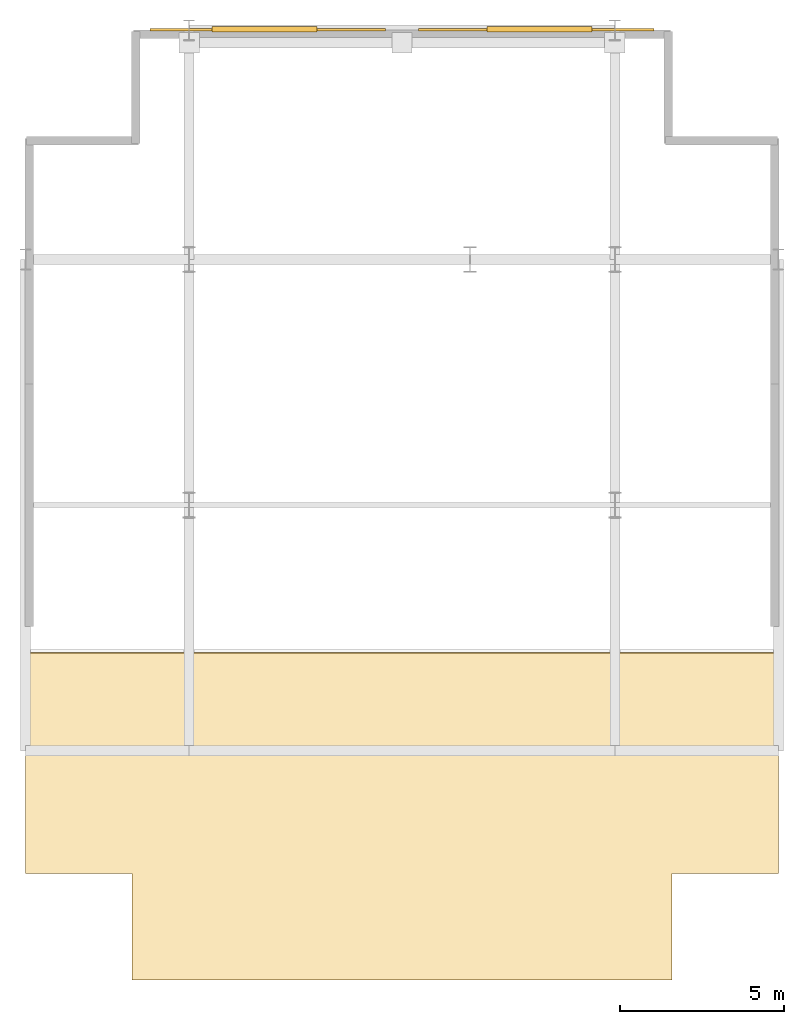
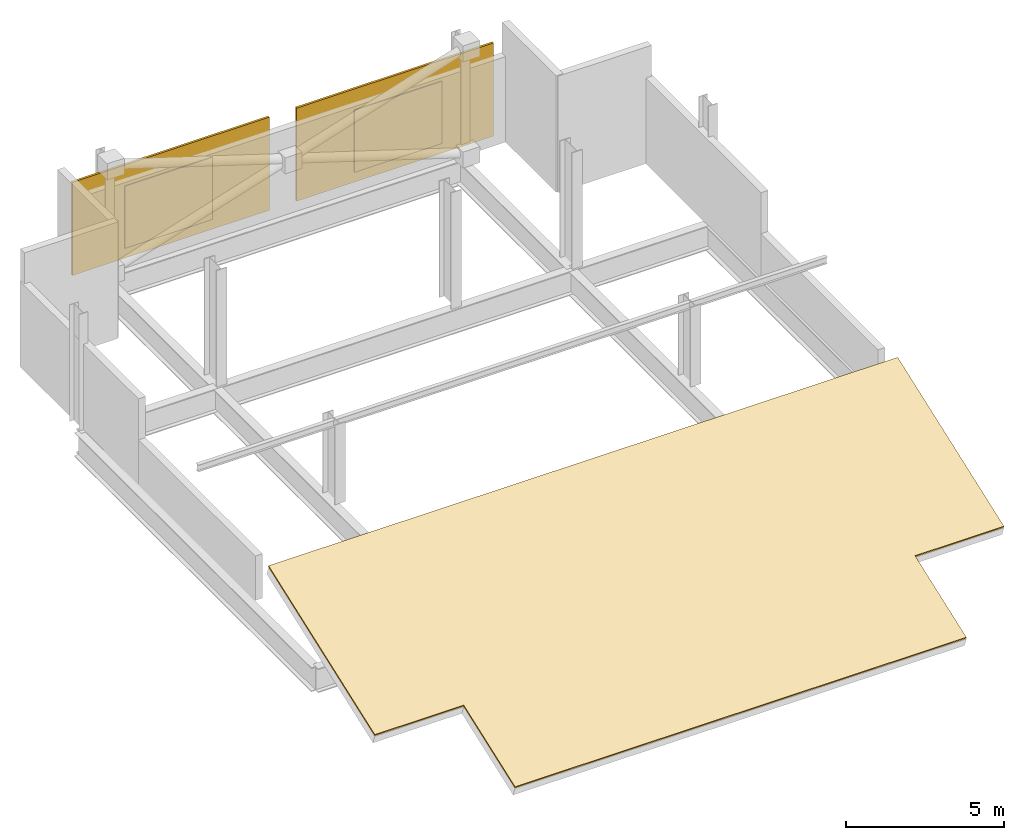
# One storey, part 2 of 2: 3 coverings, 2 shading devices.
"""IFC4 building model written with IfcOpenShell, lengths in metres."""

from ifc_helpers import new_model, si_unit, direction, frame, origin, origin_2d, place, context, subcontext, project, spatial, polyline, rectangle, outline, extrude, material, layer, layer_set, type_object, element, save


model = new_model("IFC4")

# Units and contexts
model_context = context("Model", 3, precision=1e-05, world=origin(), true_north=direction((0.0, 1.0)))
body_context = subcontext(model_context, "Body", "Model", "MODEL_VIEW")
ifc_project = project(units=[si_unit("LENGTHUNIT", "METRE"), si_unit("AREAUNIT", "SQUARE_METRE"), si_unit("VOLUMEUNIT", "CUBIC_METRE"), si_unit("PLANEANGLEUNIT", "RADIAN"), si_unit("MASSUNIT", "GRAM", prefix="KILO")], contexts=[model_context])

# Site, building, storey
site_placement = place(None, origin())
site = spatial("IfcSite", under=ifc_project, at=site_placement, CompositionType="ELEMENT")
building_placement = place(site_placement, origin())
building = spatial("IfcBuilding", under=site, at=building_placement, Name="Barlavira Tower and Art Museum", CompositionType="ELEMENT")
storey_placement = place(building_placement, frame((0.0, 0.0, 323.39990234375)))
storey = spatial("IfcBuildingStorey", under=building, at=storey_placement, Name="L84", CompositionType="ELEMENT", Elevation=323.39990234375)

# Shading devices
ifc_material = material(Name="Pale anodised aluminium", Category="aluminium")
shading_device_type = type_object("IfcShadingDeviceType", Name="Crown Acoustic Weatherproof Plant Louvre Panel", PredefinedType="USERDEFINED", material=ifc_material)
for number, where, z_axis, x_axis, name in (
    (1, (-4.199951171875, 14.530029296875, 0.60009765625), (0.0, 0.0, 1.0), (1.0, 0.0, 0.0), "L84 Chisel Crown Acoustic Louvre 1"),
    (2, (4.199951171875, 14.530029296875, 0.60009765625), (0.0, 0.0, 1.0), (1.0, 0.0, 0.0), "L84 Chisel Crown Acoustic Louvre 2"),
):
    element("IfcShadingDevice", number, at=place(storey_placement, frame(where, z_axis=z_axis, x_axis=x_axis)), inside=storey, type_object=shading_device_type, Name=name, ObjectType="LOUVER", PredefinedType="USERDEFINED", context=body_context, shape_type="SweptSolid", body=[
        extrude(rectangle(XDim=3.199951171875, YDim=0.159912109375, at=origin_2d()), origin(), (0.0, 0.0, 1.0), 2.39990234375),
    ])

# Coverings
ifc_layer_1 = layer(ifc_material, 0.080078125, Name="Pale anodised aluminium")
ifc_layer_set_1 = layer_set([ifc_layer_1], Name="Pale anodised aluminium")
covering_type_1 = type_object("IfcCoveringType", Name="Crown Chisel Pale-Metal Rainscreen Cladding 80", PredefinedType="CLADDING", material=ifc_layer_set_1)
for number, where, z_axis, x_axis, name in (
    (3, (-4.10009765625, 14.52001953125, 0.199951171875), (0.0, 0.0, 1.0), (1.0, 0.0, 0.0), "L84 North Chisel Rainscreen Cladding 1"),
    (4, (4.10009765625, 14.52001953125, 0.199951171875), (0.0, 0.0, 1.0), (1.0, 0.0, 0.0), "L84 North Chisel Rainscreen Cladding 2"),
):
    element("IfcCovering", number, at=place(storey_placement, frame(where, z_axis=z_axis, x_axis=x_axis)), inside=storey, type_object=covering_type_1, Name=name, PredefinedType="CLADDING", context=body_context, shape_type="SweptSolid", body=[
        extrude(rectangle(XDim=7.199951171875, YDim=0.080078125, at=origin_2d()), origin(), (0.0, 0.0, 1.0), 3.60009765625),
    ])
ifc_layer_2 = layer(ifc_material, 0.06005859375, Name="Pale anodised aluminium")
ifc_layer_set_2 = layer_set([ifc_layer_2], Name="Pale anodised aluminium")
covering_type_2 = type_object("IfcCoveringType", Name="Sloped Roof Standing-Seam Pale-Metal Weathering 60", PredefinedType="ROOFING", material=ifc_layer_set_2)
covering_placement = place(storey_placement, frame((-8.25, -14.5, -1.794921875), z_axis=(0.0, -0.342012839628, 0.939695279082), x_axis=(1.0, 0.0, 0.0)))
element("IfcCovering", 5, at=covering_placement, inside=storey, type_object=covering_type_2, Name="L84 Chisel Crown Standing-Seam Pale-Metal Roofing", PredefinedType="ROOFING", context=body_context, shape_type="SweptSolid", body=[
    extrude(outline(polyline([(0.0, 0.0), (16.5, 0.0), (16.5, 3.458563418735706), (19.75, 3.458563418735706), (19.75, 10.620442052322339), (-3.25, 10.620442052322339), (-3.25, 3.458563418735706), (0.0, 3.458563418735706), (0.0, 0.0)])), origin(), (0.0, 0.0, -1.0), 0.06005859375),
])

save(model, "model.ifc")
